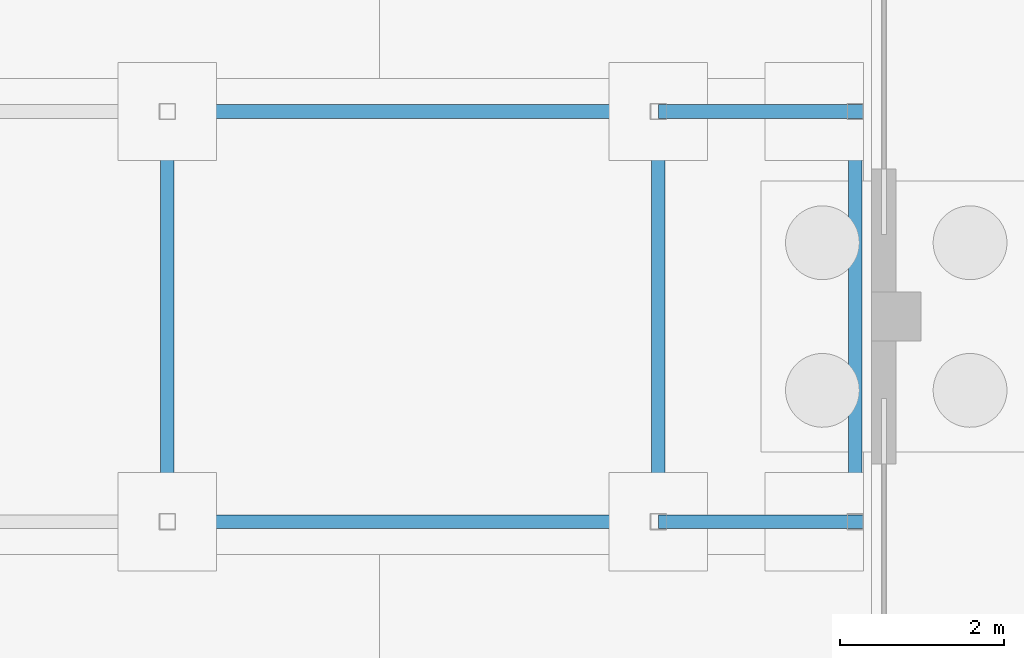
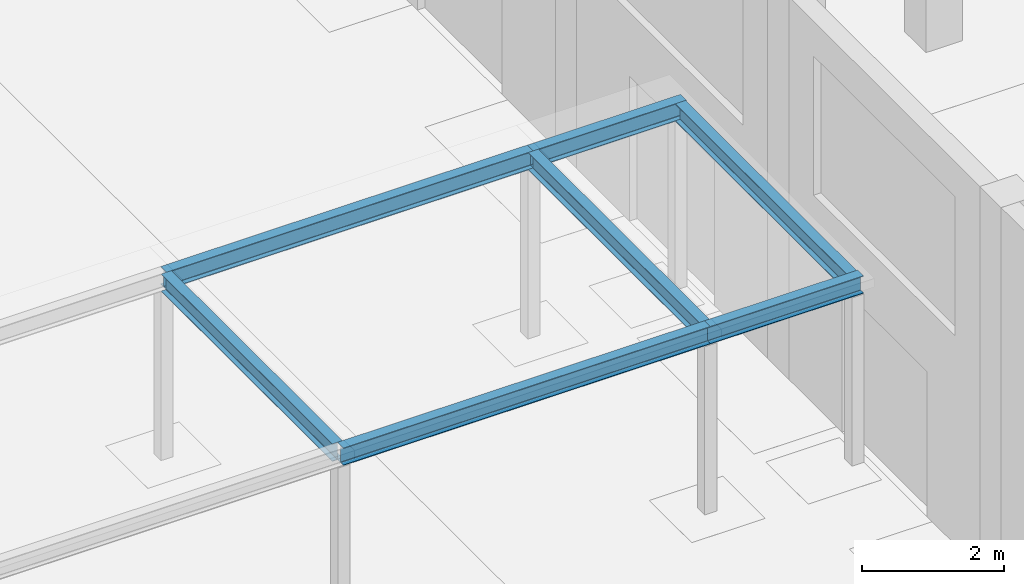
# One storey, part 15 of 44: 7 beams.
"""IFC4 building model written with IfcOpenShell, lengths in metres."""

from ifc_helpers import new_model, si_unit, direction, frame, origin, origin_2d, place, context, subcontext, project, spatial, i_section, extrude, material, material_profile, profile_set, type_object, element, save


model = new_model("IFC4")

# Units and contexts
model_context = context("Model", 3, precision=1e-05, world=origin(), true_north=direction((0.0, 1.0)))
body_context = subcontext(model_context, "Body", "Model", "MODEL_VIEW")
ifc_project = project(units=[si_unit("LENGTHUNIT", "METRE"), si_unit("AREAUNIT", "SQUARE_METRE"), si_unit("VOLUMEUNIT", "CUBIC_METRE"), si_unit("PLANEANGLEUNIT", "RADIAN"), si_unit("MASSUNIT", "GRAM", prefix="KILO")], contexts=[model_context])

# Site, building, storey
site_placement = place(None, origin())
site = spatial("IfcSite", under=ifc_project, at=site_placement, CompositionType="ELEMENT")
building_placement = place(site_placement, origin())
building = spatial("IfcBuilding", under=site, at=building_placement, Name="Nakaniwa Court", CompositionType="ELEMENT")
storey_placement = place(building_placement, origin())
storey = spatial("IfcBuildingStorey", under=building, at=storey_placement, Name="L00", CompositionType="ELEMENT", Elevation=0.0)

# Beams
ifc_material = material(Name="Steel AS/NZS 3679.1 Grade 300", Category="steel")
ifc_material_profile = material_profile(ifc_material, i_section(OverallWidth=0.1650390625, OverallDepth=0.303955078125, WebThickness=0.006103515625, FlangeThickness=0.01025390625, FilletRadius=0.0087890625, at=origin_2d()), Name="310UB40.4")
ifc_profile_set = profile_set([ifc_material_profile], Name="Steel AS/NZS 3679.1 Grade 300")
beam_type = type_object("IfcBeamType", Name="Canopy beam 310 UB40.4", PredefinedType="BEAM", material=ifc_profile_set)
beam_1_placement = place(storey_placement, frame((143.41357421875, 77.5, 3.052001953125), z_axis=(1.0, 0.0, 0.0), x_axis=(0.0, 1.0, 0.0)))
element("IfcBeam", 1, at=beam_1_placement, inside=storey, type_object=beam_type, Name="Canopy longitudinal beam S6", PredefinedType="BEAM", context=body_context, shape_type="SweptSolid", body=[
    extrude(i_section(OverallWidth=0.1650390625, OverallDepth=0.303955078125, WebThickness=0.006103515625, FlangeThickness=0.01025390625, FilletRadius=0.0087890625, at=origin_2d()), origin(), (0.0, 0.0, 1.0), 5.986328125),
])
beam_2_placement = place(storey_placement, frame((149.39990234375, 77.5, 3.052001953125), z_axis=(1.0, 0.0, 0.0), x_axis=(0.0, 1.0, 0.0)))
element("IfcBeam", 2, at=beam_2_placement, inside=storey, type_object=beam_type, Name="Canopy longitudinal beam S7", PredefinedType="BEAM", context=body_context, shape_type="SweptSolid", body=[
    extrude(i_section(OverallWidth=0.1650390625, OverallDepth=0.303955078125, WebThickness=0.006103515625, FlangeThickness=0.01025390625, FilletRadius=0.0087890625, at=origin_2d()), origin(), (0.0, 0.0, 1.0), 2.5),
])
beam_3_placement = place(storey_placement, frame((143.41357421875, 82.5, 3.052001953125), z_axis=(1.0, 0.0, 0.0), x_axis=(0.0, 1.0, 0.0)))
element("IfcBeam", 3, at=beam_3_placement, inside=storey, type_object=beam_type, Name="Canopy longitudinal beam N6", PredefinedType="BEAM", context=body_context, shape_type="SweptSolid", body=[
    extrude(i_section(OverallWidth=0.1650390625, OverallDepth=0.303955078125, WebThickness=0.006103515625, FlangeThickness=0.01025390625, FilletRadius=0.0087890625, at=origin_2d()), origin(), (0.0, 0.0, 1.0), 5.986328125),
])
beam_4_placement = place(storey_placement, frame((149.39990234375, 82.5, 3.052001953125), z_axis=(1.0, 0.0, 0.0), x_axis=(0.0, 1.0, 0.0)))
element("IfcBeam", 4, at=beam_4_placement, inside=storey, type_object=beam_type, Name="Canopy longitudinal beam N7", PredefinedType="BEAM", context=body_context, shape_type="SweptSolid", body=[
    extrude(i_section(OverallWidth=0.1650390625, OverallDepth=0.303955078125, WebThickness=0.006103515625, FlangeThickness=0.01025390625, FilletRadius=0.0087890625, at=origin_2d()), origin(), (0.0, 0.0, 1.0), 2.5),
])
for number, where, z_axis, x_axis, name in (
    (5, (143.41357421875, 77.58251953125, 3.052001953125), (0.0, 1.0, 0.0), (-1.0, 0.0, 0.0), "Canopy cross beam 6"),
    (6, (149.39990234375, 77.58251953125, 3.052001953125), (0.0, 1.0, 0.0), (-1.0, 0.0, 0.0), "Canopy cross beam 7"),
    (7, (151.800048828125, 77.58251953125, 3.052001953125), (0.0, 1.0, 0.0), (-1.0, 0.0, 0.0), "Canopy cross beam 8"),
):
    element("IfcBeam", number, at=place(storey_placement, frame(where, z_axis=z_axis, x_axis=x_axis)), inside=storey, type_object=beam_type, Name=name, PredefinedType="BEAM", context=body_context, shape_type="SweptSolid", body=[
        extrude(i_section(OverallWidth=0.1650390625, OverallDepth=0.303955078125, WebThickness=0.006103515625, FlangeThickness=0.01025390625, FilletRadius=0.0087890625, at=origin_2d()), origin(), (0.0, 0.0, 1.0), 4.8349609375),
    ])

save(model, "model.ifc")
